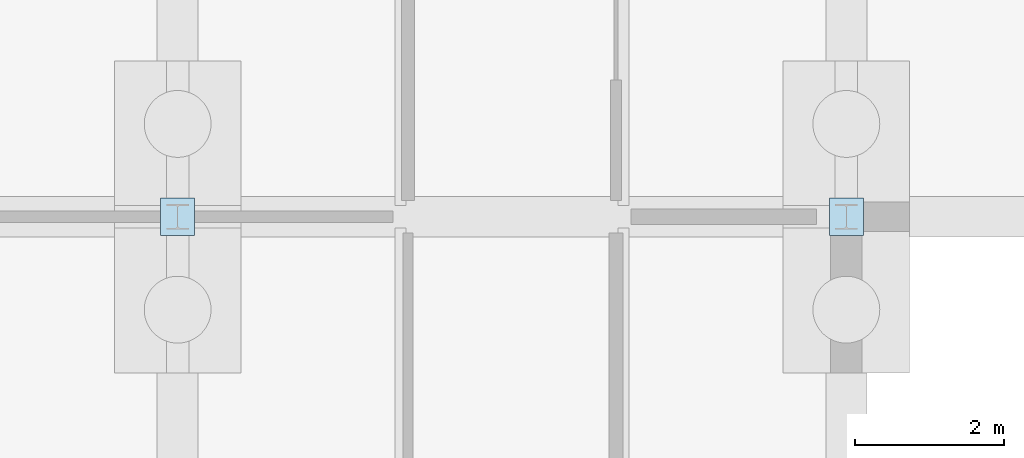
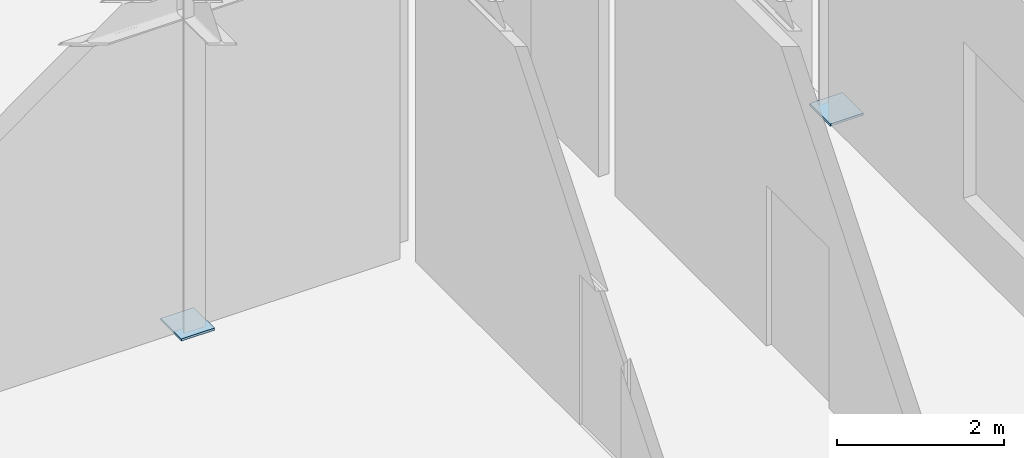
# One storey, part 46 of 76: 2 plates.
"""IFC4 building model written with IfcOpenShell, lengths in metres."""

from ifc_helpers import new_model, si_unit, direction, frame, origin, origin_2d, place, context, subcontext, project, spatial, rectangle, extrude, material, layer, layer_set, type_object, element, save


model = new_model("IFC4")

# Units and contexts
model_context = context("Model", 3, precision=1e-05, world=origin(), true_north=direction((0.0, 1.0)))
body_context = subcontext(model_context, "Body", "Model", "MODEL_VIEW")
ifc_project = project(units=[si_unit("LENGTHUNIT", "METRE"), si_unit("AREAUNIT", "SQUARE_METRE"), si_unit("VOLUMEUNIT", "CUBIC_METRE"), si_unit("PLANEANGLEUNIT", "RADIAN"), si_unit("MASSUNIT", "GRAM", prefix="KILO")], contexts=[model_context])

# Site, building, storey
site_placement = place(None, origin())
site = spatial("IfcSite", under=ifc_project, at=site_placement, CompositionType="ELEMENT")
building_placement = place(site_placement, origin())
building = spatial("IfcBuilding", under=site, at=building_placement, Name="Bozkorgan Art Gallery", CompositionType="ELEMENT")
storey_placement = place(building_placement, origin())
storey = spatial("IfcBuildingStorey", under=building, at=storey_placement, Name="L00", CompositionType="ELEMENT", Elevation=0.0)

# Plates
ifc_material = material(Name="Steel S355J2", Category="steel")
ifc_layer = layer(ifc_material, 0.031982421875, Name="Steel S355J2")
ifc_layer_set = layer_set([ifc_layer], Name="Steel S355J2")
plate_type = type_object("IfcPlateType", Name="PLATE-BP-57", PredefinedType="USERDEFINED", material=ifc_layer_set)
for number, where, z_axis, x_axis, name in (
    (1, (11.0, 102.800048828125, 0.0), (0.0, 0.0, 1.0), (1.0, 0.0, 0.0), "COL-V2-L00-11-103 base plate"),
    (2, (20.0, 102.800048828125, 0.0), (0.0, 0.0, 1.0), (1.0, 0.0, 0.0), "COL-V2-L00-20-103 base plate"),
):
    element("IfcPlate", number, at=place(storey_placement, frame(where, z_axis=z_axis, x_axis=x_axis)), inside=storey, type_object=plate_type, Name=name, ObjectType="END CAP PLATE", PredefinedType="USERDEFINED", context=body_context, shape_type="SweptSolid", body=[
        extrude(rectangle(XDim=0.4599609375, YDim=0.5, at=origin_2d()), origin(), (0.0, 0.0, 1.0), 0.031982421875),
    ])

save(model, "model.ifc")
